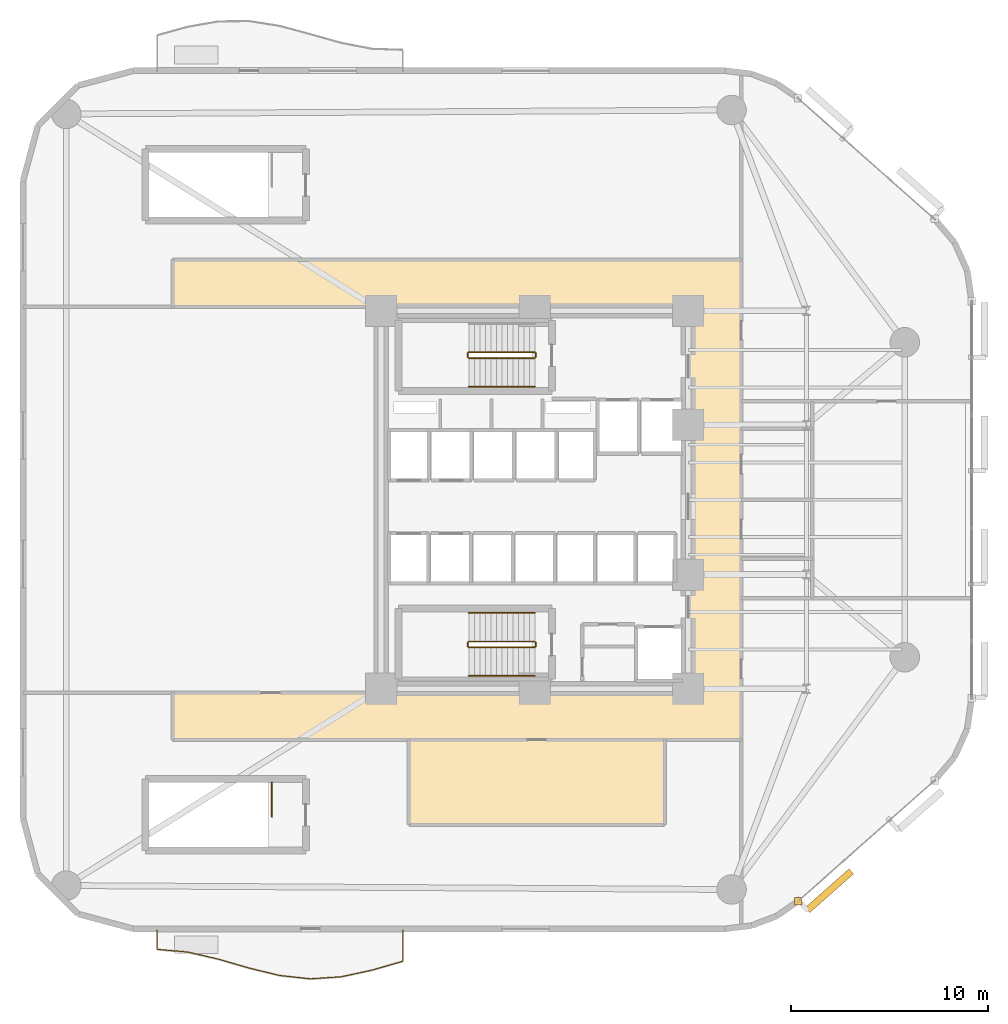
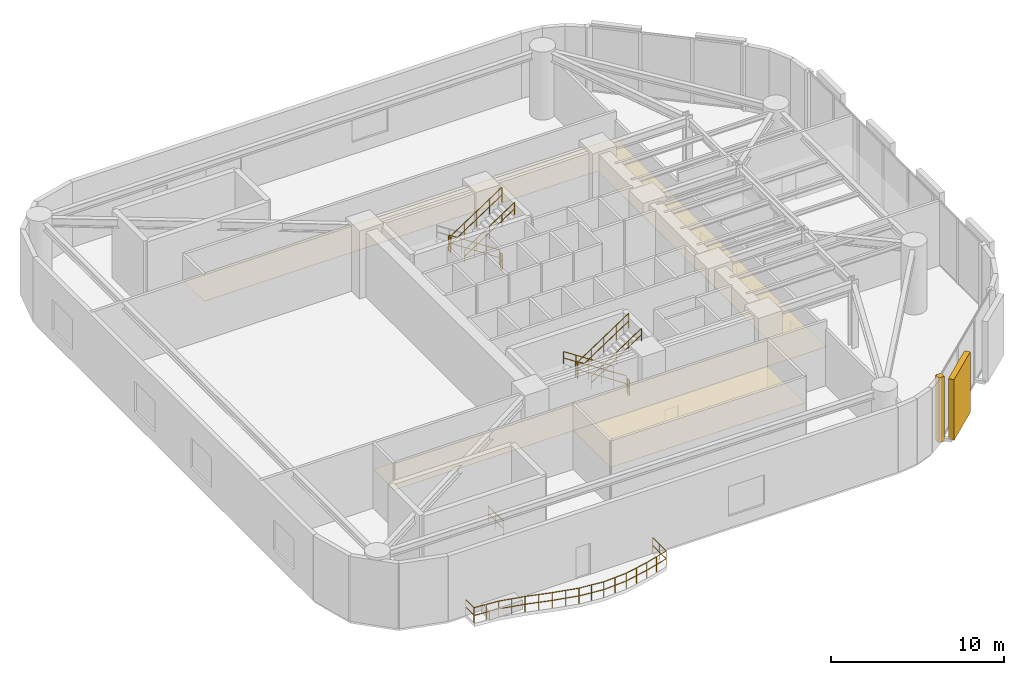
# One storey, part 12 of 13: 13 railings, 3 coverings, 1 shading device.
"""IFC4 building model written with IfcOpenShell, lengths in metres."""

import ifcopenshell
import ifcopenshell.guid

model = None  # the IFC model being written
_history = None  # IfcOwnerHistory: only IFC2X3 demands one
_inside = {}  # id of a spatial element -> (the spatial element, [elements in it])
_under = {}  # id of a project, library or spatial element -> (it, [spatial elements below it])
_declared = {}  # id of a project -> (the project, [libraries it declares])
_typed = {}  # id of a type object -> (the type object, [elements of that type])
_made_of = {}  # id of a material, layer set ... -> (it, [elements and type objects made of it])


def new_model(schema):
    """Start an empty IFC model of exactly this schema.

    Asked for "IFC4X3", IfcOpenShell would pick the latest addendum, in which some entities
    have other attributes; the version numbers below select the first issue.
    IFC2X3 requires an IfcOwnerHistory on every rooted entity: one is made here for all.
    """
    global model, _history
    if schema == "IFC4X3":
        model = ifcopenshell.file(schema_version=(4, 3, 0, 0))
    else:
        model = ifcopenshell.file(schema=schema)
    _inside.clear()
    _under.clear()
    _declared.clear()
    _typed.clear()
    _made_of.clear()
    _history = None
    if model.schema == "IFC2X3":
        org = make("IfcOrganization", Name="unknown")
        user = make(
            "IfcPersonAndOrganization",
            ThePerson=make("IfcPerson", FamilyName="unknown"),
            TheOrganization=org,
        )
        app = make(
            "IfcApplication",
            ApplicationDeveloper=org,
            Version="unknown",
            ApplicationFullName="unknown",
            ApplicationIdentifier="unknown",
        )
        _history = make(
            "IfcOwnerHistory",
            OwningUser=user,
            OwningApplication=app,
            ChangeAction="ADDED",
            CreationDate=0,
        )
    return model


def make(cls, **values):
    """One entity of the class cls with the attributes given. An attribute that is None is left unset."""
    return model.create_entity(
        cls, **{name: value for name, value in values.items() if value is not None}
    )


def rooted(cls, **values):
    """An entity with a GlobalId (a new one), such as an element, a storey or a relation."""
    return make(cls, GlobalId=ifcopenshell.guid.new(), OwnerHistory=_history, **values)


def si_unit(unit_type, name, prefix=None):
    """IfcSIUnit, for example si_unit("LENGTHUNIT", "METRE", prefix="MILLI")."""
    return make("IfcSIUnit", UnitType=unit_type, Prefix=prefix, Name=name)


def assignment(units):
    """IfcUnitAssignment: the units of a project."""
    return None if units is None else make("IfcUnitAssignment", Units=units)


def point(xyz):
    """IfcCartesianPoint."""
    return None if xyz is None else make("IfcCartesianPoint", Coordinates=xyz)


def direction(xyz):
    """IfcDirection."""
    return None if xyz is None else make("IfcDirection", DirectionRatios=xyz)


def frame(location, z_axis=None, x_axis=None):
    """IfcAxis2Placement3D, a coordinate frame: its origin and axes. An axis left out is left unset."""
    return make(
        "IfcAxis2Placement3D",
        Location=point(location),
        Axis=direction(z_axis),
        RefDirection=direction(x_axis),
    )


def frame_2d(location, x_axis=None):
    """IfcAxis2Placement2D, a coordinate frame in the plane: its origin and x axis."""
    return make(
        "IfcAxis2Placement2D", Location=point(location), RefDirection=direction(x_axis)
    )


def origin():
    """The frame at (0, 0, 0) with its axes left unset."""
    return frame((0.0, 0.0, 0.0))


def origin_2d():
    """The frame at (0, 0) in the plane with its x axis left unset."""
    return frame_2d((0.0, 0.0))


def place(relative_to, where):
    """IfcLocalPlacement: puts the frame where relative to a parent placement (None: the world)."""
    return make(
        "IfcLocalPlacement", PlacementRelTo=relative_to, RelativePlacement=where
    )


def context(
    kind, dimensions, precision=None, world=None, true_north=None, identifier=None
):
    """IfcGeometricRepresentationContext, for example the 3D "Model" context."""
    return make(
        "IfcGeometricRepresentationContext",
        ContextIdentifier=identifier,
        ContextType=kind,
        CoordinateSpaceDimension=dimensions,
        Precision=precision,
        WorldCoordinateSystem=world,
        TrueNorth=true_north,
    )


def subcontext(parent, identifier, kind, view, scale=None):
    """IfcGeometricRepresentationSubContext, for example "Body" below "Model"."""
    return make(
        "IfcGeometricRepresentationSubContext",
        ContextIdentifier=identifier,
        ContextType=kind,
        ParentContext=parent,
        TargetScale=scale,
        TargetView=view,
    )


def project(units=None, contexts=None):
    """IfcProject with its units and contexts."""
    return rooted(
        "IfcProject",
        Name="project",
        RepresentationContexts=contexts,
        UnitsInContext=assignment(units),
    )


def spatial(cls, under=None, at=None, **own):
    """A site, building, storey or space (cls), placed at a placement, below another one or the project."""
    s = rooted(cls, ObjectPlacement=at, **own)
    if under is not None:
        _under.setdefault(under.id(), (under, []))[1].append(s)
    return s


def polyline(points):
    """IfcPolyline through the points."""
    return make("IfcPolyline", Points=[point(p) for p in points])


def profile(cls, at=None, kind="AREA", **sizes):
    """A parametric profile (cls). Its sizes go by their IFC names, for example OverallWidth=200.0."""
    return make(cls, ProfileType=kind, Position=at, **sizes)


def rectangle(**sizes):
    """IfcRectangleProfileDef."""
    return profile("IfcRectangleProfileDef", **sizes)


def circle(**sizes):
    """IfcCircleProfileDef."""
    return profile("IfcCircleProfileDef", **sizes)


def outline(outer, holes=None, kind="AREA"):
    """IfcArbitraryClosedProfileDef: a profile drawn as a closed curve; with holes, ...WithVoids."""
    if holes is None:
        return make("IfcArbitraryClosedProfileDef", ProfileType=kind, OuterCurve=outer)
    return make(
        "IfcArbitraryProfileDefWithVoids",
        ProfileType=kind,
        OuterCurve=outer,
        InnerCurves=holes,
    )


def extrude(swept, where, along, depth):
    """IfcExtrudedAreaSolid: the profile swept, set in the frame where, extruded along a direction by depth."""
    return make(
        "IfcExtrudedAreaSolid",
        SweptArea=swept,
        Position=where,
        ExtrudedDirection=direction(along),
        Depth=depth,
    )


def shape(context_of_items, identifier, shape_type, items):
    """IfcShapeRepresentation: the items that make up one representation, for example the "Body"."""
    return make(
        "IfcShapeRepresentation",
        ContextOfItems=context_of_items,
        RepresentationIdentifier=identifier,
        RepresentationType=shape_type,
        Items=items,
    )


def material(Name=None, Category=None):
    """IfcMaterial."""
    return make("IfcMaterial", Name=Name, Category=Category)


def layer(
    of_material, thickness, ventilated=None, Name=None, Category=None, Priority=None
):
    """IfcMaterialLayer: one layer of a wall or slab, of a material (None: an air gap)."""
    return make(
        "IfcMaterialLayer",
        Material=of_material,
        LayerThickness=thickness,
        IsVentilated=ventilated,
        Name=Name,
        Category=Category,
        Priority=Priority,
    )


def layer_set(layers, Name=None):
    """IfcMaterialLayerSet."""
    return make("IfcMaterialLayerSet", MaterialLayers=layers, LayerSetName=Name)


def made_of(thing, what):
    """Note that an element or type object is made of a material, layer set ...; save() writes the relation."""
    if what is not None:
        _made_of.setdefault(what.id(), (what, []))[1].append(thing)
    return thing


def type_object(cls, material=None, **own):
    """A type object (cls), such as IfcWallType, which elements share."""
    return made_of(rooted(cls, **own), material)


def element(
    cls,
    number,
    at=None,
    inside=None,
    cuts=None,
    type_object=None,
    material=None,
    context=None,
    identifier="Body",
    shape_type=None,
    held_by="IfcProductDefinitionShape",
    body=None,
    shapes=None,
    **own,
):
    """One element of the class cls, such as IfcWall. Its Tag is "e" and its number.

    at: its placement. inside: the storey or other place that contains it. cuts: it is an
    opening in that element (IfcRelVoidsElement). A single representation is given by context,
    identifier, shape_type and body (its items); several are given by shapes. held_by: the class
    of the entity that holds the representations. save() writes the other relations.
    """
    e = rooted(cls, Tag="e%d" % number, ObjectPlacement=at, **own)
    if body is not None:
        shapes = [shape(context, identifier, shape_type, body)]
    if shapes is not None:
        e.Representation = make(held_by, Representations=shapes)
    if inside is not None:
        _inside.setdefault(inside.id(), (inside, []))[1].append(e)
    if cuts is not None:
        rooted(
            "IfcRelVoidsElement", RelatingBuildingElement=cuts, RelatedOpeningElement=e
        )
    if type_object is not None:
        _typed.setdefault(type_object.id(), (type_object, []))[1].append(e)
    return made_of(e, material)


def aggregate(whole, parts):
    """IfcRelAggregates: a whole, such as a stair, and the parts it consists of."""
    return rooted("IfcRelAggregates", RelatingObject=whole, RelatedObjects=parts)


def save(model, path):
    """Write the relations noted so far, then the file.

    IfcRelAggregates (storeys below a building ...), IfcRelContainedInSpatialStructure (elements
    in a storey), IfcRelDefinesByType, IfcRelAssociatesMaterial and IfcRelDeclares: one each for
    every whole, place, type object, material and project.
    """
    for whole, parts in _under.values():
        aggregate(whole, parts)
    for where, things in _inside.values():
        rooted(
            "IfcRelContainedInSpatialStructure",
            RelatedElements=things,
            RelatingStructure=where,
        )
    for kind, things in _typed.values():
        rooted("IfcRelDefinesByType", RelatedObjects=things, RelatingType=kind)
    for what, things in _made_of.values():
        rooted("IfcRelAssociatesMaterial", RelatedObjects=things, RelatingMaterial=what)
    for by, libraries in _declared.values():
        rooted("IfcRelDeclares", RelatingContext=by, RelatedDefinitions=libraries)
    model.write(path)


model = new_model("IFC4")

# Units and contexts
model_context = context("Model", 3, precision=1e-05, world=origin(), true_north=direction((0.0, 1.0)))
body_context = subcontext(model_context, "Body", "Model", "MODEL_VIEW")
ifc_project = project(units=[si_unit("LENGTHUNIT", "METRE"), si_unit("AREAUNIT", "SQUARE_METRE"), si_unit("VOLUMEUNIT", "CUBIC_METRE"), si_unit("PLANEANGLEUNIT", "RADIAN"), si_unit("MASSUNIT", "GRAM", prefix="KILO")], contexts=[model_context])

# Site, building, storey
site_placement = place(None, origin())
site = spatial("IfcSite", under=ifc_project, at=site_placement, CompositionType="ELEMENT")
building_placement = place(site_placement, origin())
building = spatial("IfcBuilding", under=site, at=building_placement, Name="An Khanh Terracotta Commons", CompositionType="ELEMENT")
storey_placement = place(building_placement, frame((0.0, 0.0, 24.0)))
storey = spatial("IfcBuildingStorey", under=building, at=storey_placement, Name="L06", CompositionType="ELEMENT", Elevation=24.0)

# Coverings
ifc_material_1 = material(Name="Perforated Mineral-Fibre Acoustic Tile")
ifc_layer_1 = layer(ifc_material_1, 0.02001953125, Name="Perforated Mineral-Fibre Acoustic Tile")
ifc_layer_set_1 = layer_set([ifc_layer_1], Name="Perforated Mineral-Fibre Acoustic Tile")
covering_type_1 = type_object("IfcCoveringType", Name="CEIL-ACOUSTIC-18", PredefinedType="CEILING", material=ifc_layer_set_1)
covering_1_placement = place(storey_placement, frame((0.0, 0.0, 2.64990234375)))
element("IfcCovering", 1, at=covering_1_placement, inside=storey, type_object=covering_type_1, Name="L06 Sky Lobby Ceiling", PredefinedType="CEILING", context=body_context, shape_type="SweptSolid", body=[
    extrude(outline(polyline([(11.0, 11.800048828125), (11.0, 14.199951171875), (37.300048828125, 14.199951171875), (37.300048828125, 14.280029296875), (37.320068359375, 14.280029296875), (37.320068359375, 33.719970703125), (37.300048828125, 33.719970703125), (37.300048828125, 33.800048828125), (11.0, 33.800048828125), (11.0, 36.199951171875), (39.89990234375, 36.199951171875), (39.89990234375, 35.800048828125), (39.89990234375, 33.800048828125), (39.89990234375, 14.199951171875), (39.89990234375, 12.199951171875), (39.89990234375, 11.800048828125), (11.0, 11.800048828125)])), origin(), (0.0, 0.0, 1.0), 0.02001953125),
])
covering_2_placement = place(storey_placement, frame((0.0, 0.0, 2.64990234375)))
element("IfcCovering", 2, at=covering_2_placement, inside=storey, type_object=covering_type_1, Name="L06 Sky Lobby Pantry Store Ceiling", PredefinedType="CEILING", context=body_context, shape_type="SweptSolid", body=[
    extrude(outline(polyline([(36.0, 11.800048828125), (36.0, 7.5), (23.0, 7.5), (23.0, 11.800048828125), (36.0, 11.800048828125)])), origin(), (0.0, 0.0, 1.0), 0.02001953125),
])
ifc_material_2 = material(Name="Fired Terracotta Rainscreen Cladding", Category="masonry")
ifc_layer_2 = layer(ifc_material_2, 0.080078125, Name="Fired Terracotta Rainscreen Cladding")
ifc_layer_set_2 = layer_set([ifc_layer_2], Name="Fired Terracotta Rainscreen Cladding")
covering_type_2 = type_object("IfcCoveringType", Name="COV-JAMB-TERRA", PredefinedType="CLADDING", material=ifc_layer_set_2)
covering_3_placement = place(storey_placement, frame((42.7890625, 3.60595703125, 0.0), z_axis=(0.0, 0.0, 1.0), x_axis=(1.0, 0.0, 0.0)))
element("IfcCovering", 3, at=covering_3_placement, inside=storey, type_object=covering_type_2, Name="L06 CW-04 Curtain-Wall Jamb Closure JA", PredefinedType="CLADDING", context=body_context, shape_type="SweptSolid", body=[
    extrude(rectangle(XDim=0.3798828125, YDim=0.3798828125, at=origin_2d()), origin(), (0.0, 0.0, 1.0), 4.60009765625),
])

# Railings
ifc_material_3 = material(Name="Brushed Stainless Steel 316", Category="steel")
railing_type_1 = type_object("IfcRailingType", Name="RAIL-BALUSTRADE-1100", PredefinedType="BALUSTRADE", material=ifc_material_3)
railing_1_placement = place(storey_placement, frame((10.199951171875, 2.139892578125, 0.0)))
element("IfcRailing", 4, at=railing_1_placement, inside=storey, type_object=railing_type_1, Name="L06 S Wave Balcony Guard Balustrade", PredefinedType="BALUSTRADE", context=body_context, shape_type="SweptSolid", body=[
    extrude(circle(Radius=0.02392578125, at=origin_2d()), frame((0.0, 0.0, 1.076171875), z_axis=(0.0, -1.0, 0.0), x_axis=(1.0, 0.0, 0.0)), (0.0, 0.0, 1.0), 0.97998046875),
    extrude(circle(Radius=0.02392578125, at=origin_2d()), frame((0.0, 0.0, 0.52587890625), z_axis=(0.0, -1.0, 0.0), x_axis=(1.0, 0.0, 0.0)), (0.0, 0.0, 1.0), 0.97998046875),
    extrude(circle(Radius=0.02392578125, at=origin_2d()), frame((0.0, -0.97998046875, 1.076171875), z_axis=(0.996177814527, -0.087348507963, 0.0), x_axis=(0.087348507963, 0.996177814527, 0.0)), (0.0, 0.0, 1.0), 1.568115234375),
    extrude(circle(Radius=0.02392578125, at=origin_2d()), frame((0.0, -0.97998046875, 0.52587890625), z_axis=(0.996177814527, -0.087348507963, 0.0), x_axis=(0.087348507963, 0.996177814527, 0.0)), (0.0, 0.0, 1.0), 1.568115234375),
    extrude(circle(Radius=0.02392578125, at=origin_2d()), frame((1.56201171875, -1.116943359375, 1.076171875), z_axis=(0.97450395418, -0.22437032622, 0.0), x_axis=(0.22437032622, 0.97450395418, 0.0)), (0.0, 0.0, 1.0), 1.603759765625),
    extrude(circle(Radius=0.02392578125, at=origin_2d()), frame((1.56201171875, -1.116943359375, 0.52587890625), z_axis=(0.97450395418, -0.22437032622, 0.0), x_axis=(0.22437032622, 0.97450395418, 0.0)), (0.0, 0.0, 1.0), 1.603759765625),
    extrude(circle(Radius=0.02392578125, at=origin_2d()), frame((3.125, -1.476806640625, 1.076171875), z_axis=(0.960405845543, -0.278604759195, 0.0), x_axis=(0.278604759195, 0.960405845543, 0.0)), (0.0, 0.0, 1.0), 1.62646484375),
    extrude(circle(Radius=0.02392578125, at=origin_2d()), frame((3.125, -1.476806640625, 0.52587890625), z_axis=(0.960405845543, -0.278604759195, 0.0), x_axis=(0.278604759195, 0.960405845543, 0.0)), (0.0, 0.0, 1.0), 1.62646484375),
    extrude(circle(Radius=0.02392578125, at=origin_2d()), frame((4.68701171875, -1.929931640625, 1.076171875), z_axis=(0.971710923321, -0.23617341404, 0.0), x_axis=(0.23617341404, 0.971710923321, 0.0)), (0.0, 0.0, 1.0), 1.6083984375),
    extrude(circle(Radius=0.02392578125, at=origin_2d()), frame((4.68701171875, -1.929931640625, 0.52587890625), z_axis=(0.971710923321, -0.23617341404, 0.0), x_axis=(0.23617341404, 0.971710923321, 0.0)), (0.0, 0.0, 1.0), 1.6083984375),
    extrude(circle(Radius=0.02392578125, at=origin_2d()), frame((6.25, -2.309814453125, 1.076171875), z_axis=(0.994267926372, -0.106917213714, 0.0), x_axis=(0.106917213714, 0.994267926372, 0.0)), (0.0, 0.0, 1.0), 1.571044921875),
    extrude(circle(Radius=0.02392578125, at=origin_2d()), frame((6.25, -2.309814453125, 0.52587890625), z_axis=(0.994267926372, -0.106917213714, 0.0), x_axis=(0.106917213714, 0.994267926372, 0.0)), (0.0, 0.0, 1.0), 1.571044921875),
    extrude(circle(Radius=0.02392578125, at=origin_2d()), frame((7.81201171875, -2.477783203125, 1.076171875), z_axis=(0.997751933428, 0.067015515679, 0.0), x_axis=(-0.067015515679, 0.997751933428, 0.0)), (0.0, 0.0, 1.0), 1.56640625),
    extrude(circle(Radius=0.02392578125, at=origin_2d()), frame((7.81201171875, -2.477783203125, 0.52587890625), z_axis=(0.997751933428, 0.067015515679, 0.0), x_axis=(-0.067015515679, 0.997751933428, 0.0)), (0.0, 0.0, 1.0), 1.56640625),
    extrude(circle(Radius=0.02392578125, at=origin_2d()), frame((9.375, -2.372802734375, 1.076171875), z_axis=(0.977267260023, 0.212011090483, 0.0), x_axis=(-0.212011090483, 0.977267260023, 0.0)), (0.0, 0.0, 1.0), 1.598388671875),
    extrude(circle(Radius=0.02392578125, at=origin_2d()), frame((9.375, -2.372802734375, 0.52587890625), z_axis=(0.977267260023, 0.212011090483, 0.0), x_axis=(-0.212011090483, 0.977267260023, 0.0)), (0.0, 0.0, 1.0), 1.598388671875),
    extrude(circle(Radius=0.02392578125, at=origin_2d()), frame((10.93701171875, -2.033935546875, 1.076171875), z_axis=(0.960972583442, 0.276643622506, 0.0), x_axis=(-0.276643622506, 0.960972583442, 0.0)), (0.0, 0.0, 1.0), 1.62646484375),
    extrude(circle(Radius=0.02392578125, at=origin_2d()), frame((10.93701171875, -2.033935546875, 0.52587890625), z_axis=(0.960972583442, 0.276643622506, 0.0), x_axis=(-0.276643622506, 0.960972583442, 0.0)), (0.0, 0.0, 1.0), 1.62646484375),
    extrude(circle(Radius=0.02392578125, at=origin_2d()), frame((12.5, -1.583984375, 1.076171875), z_axis=(0.0, 1.0, 0.0), x_axis=(-1.0, 0.0, 0.0)), (0.0, 0.0, 1.0), 1.583984375),
    extrude(circle(Radius=0.02392578125, at=origin_2d()), frame((12.5, -1.583984375, 0.52587890625), z_axis=(0.0, 1.0, 0.0), x_axis=(-1.0, 0.0, 0.0)), (0.0, 0.0, 1.0), 1.583984375),
    extrude(circle(Radius=0.02099609375, at=origin_2d()), origin(), (0.0, 0.0, 1.0), 1.052001953125),
    extrude(circle(Radius=0.02099609375, at=origin_2d()), frame((0.0, -0.97998046875, 0.0)), (0.0, 0.0, 1.0), 1.052001953125),
    extrude(circle(Radius=0.02099609375, at=origin_2d()), frame((0.781005859375, -1.04833984375, 0.0)), (0.0, 0.0, 1.0), 1.052001953125),
    extrude(circle(Radius=0.02099609375, at=origin_2d()), frame((1.56201171875, -1.116943359375, 0.0)), (0.0, 0.0, 1.0), 1.052001953125),
    extrude(circle(Radius=0.02099609375, at=origin_2d()), frame((2.343505859375, -1.296875, 0.0)), (0.0, 0.0, 1.0), 1.052001953125),
    extrude(circle(Radius=0.02099609375, at=origin_2d()), frame((3.125, -1.476806640625, 0.0)), (0.0, 0.0, 1.0), 1.052001953125),
    extrude(circle(Radius=0.02099609375, at=origin_2d()), frame((3.906005859375, -1.703369140625, 0.0)), (0.0, 0.0, 1.0), 1.052001953125),
    extrude(circle(Radius=0.02099609375, at=origin_2d()), frame((4.68701171875, -1.929931640625, 0.0)), (0.0, 0.0, 1.0), 1.052001953125),
    extrude(circle(Radius=0.02099609375, at=origin_2d()), frame((5.468505859375, -2.119873046875, 0.0)), (0.0, 0.0, 1.0), 1.052001953125),
    extrude(circle(Radius=0.02099609375, at=origin_2d()), frame((6.25, -2.309814453125, 0.0)), (0.0, 0.0, 1.0), 1.052001953125),
    extrude(circle(Radius=0.02099609375, at=origin_2d()), frame((7.031005859375, -2.393798828125, 0.0)), (0.0, 0.0, 1.0), 1.052001953125),
    extrude(circle(Radius=0.02099609375, at=origin_2d()), frame((7.81201171875, -2.477783203125, 0.0)), (0.0, 0.0, 1.0), 1.052001953125),
    extrude(circle(Radius=0.02099609375, at=origin_2d()), frame((8.593505859375, -2.42529296875, 0.0)), (0.0, 0.0, 1.0), 1.052001953125),
    extrude(circle(Radius=0.02099609375, at=origin_2d()), frame((9.375, -2.372802734375, 0.0)), (0.0, 0.0, 1.0), 1.052001953125),
    extrude(circle(Radius=0.02099609375, at=origin_2d()), frame((10.156005859375, -2.203369140625, 0.0)), (0.0, 0.0, 1.0), 1.052001953125),
    extrude(circle(Radius=0.02099609375, at=origin_2d()), frame((10.93701171875, -2.033935546875, 0.0)), (0.0, 0.0, 1.0), 1.052001953125),
    extrude(circle(Radius=0.02099609375, at=origin_2d()), frame((11.718505859375, -1.80908203125, 0.0)), (0.0, 0.0, 1.0), 1.052001953125),
    extrude(circle(Radius=0.02099609375, at=origin_2d()), frame((12.5, -1.583984375, 0.0)), (0.0, 0.0, 1.0), 1.052001953125),
    extrude(circle(Radius=0.02099609375, at=origin_2d()), frame((12.5, -0.7919921875, 0.0)), (0.0, 0.0, 1.0), 1.052001953125),
    extrude(circle(Radius=0.02099609375, at=origin_2d()), frame((12.5, 0.0, 0.0)), (0.0, 0.0, 1.0), 1.052001953125),
])
railing_type_2 = type_object("IfcRailingType", Name="RAIL-HANDRAIL-900", PredefinedType="HANDRAIL", material=ifc_material_3)
railing_2_placement = place(storey_placement, frame((26.050048828125, 29.75, 2.584716796875)))
element("IfcRailing", 5, at=railing_2_placement, inside=storey, type_object=railing_type_2, Name="L06 ST-01 stair handrail 2", PredefinedType="HANDRAIL", context=body_context, shape_type="SweptSolid", body=[
    extrude(circle(Radius=0.02392578125, at=origin_2d()), frame((0.0, 0.0, 0.8759765625), z_axis=(0.834858096282, 0.0, 0.550465220583), x_axis=(0.0, 1.0, 0.0)), (0.0, 0.0, 1.0), 4.0244140625),
    extrude(circle(Radius=0.02392578125, at=origin_2d()), frame((0.0, 0.0, 0.42578125), z_axis=(0.834858096282, 0.0, 0.550465220583), x_axis=(0.0, 1.0, 0.0)), (0.0, 0.0, 1.0), 4.0244140625),
    extrude(circle(Radius=0.02099609375, at=origin_2d()), origin(), (0.0, 0.0, 1.0), 0.851806640625),
    extrude(circle(Radius=0.02099609375, at=origin_2d()), frame((0.83984375, 0.0, 0.5537109375)), (0.0, 0.0, 1.0), 0.851806640625),
    extrude(circle(Radius=0.02099609375, at=origin_2d()), frame((1.679931640625, 0.0, 1.107666015625)), (0.0, 0.0, 1.0), 0.851806640625),
    extrude(circle(Radius=0.02099609375, at=origin_2d()), frame((2.52001953125, 0.0, 1.66162109375)), (0.0, 0.0, 1.0), 0.851806640625),
    extrude(circle(Radius=0.02099609375, at=origin_2d()), frame((3.35986328125, 0.0, 2.21533203125)), (0.0, 0.0, 1.0), 0.851806640625),
])
railing_3_placement = place(storey_placement, frame((29.409912109375, 18.25, 0.1845703125)))
element("IfcRailing", 6, at=railing_3_placement, inside=storey, type_object=railing_type_2, Name="L06 ST-02 stair handrail 1", PredefinedType="HANDRAIL", context=body_context, shape_type="SweptSolid", body=[
    extrude(circle(Radius=0.02392578125, at=origin_2d()), frame((0.0, 0.0, 0.8759765625), z_axis=(-0.834858096282, 0.0, 0.550465220583), x_axis=(0.0, -1.0, 0.0)), (0.0, 0.0, 1.0), 4.0244140625),
    extrude(circle(Radius=0.02392578125, at=origin_2d()), frame((0.0, 0.0, 0.42578125), z_axis=(-0.834858096282, 0.0, 0.550465220583), x_axis=(0.0, -1.0, 0.0)), (0.0, 0.0, 1.0), 4.0244140625),
    extrude(circle(Radius=0.02099609375, at=origin_2d()), origin(), (0.0, 0.0, 1.0), 0.851806640625),
    extrude(circle(Radius=0.02099609375, at=origin_2d()), frame((-0.83984375, 0.0, 0.5537109375)), (0.0, 0.0, 1.0), 0.851806640625),
    extrude(circle(Radius=0.02099609375, at=origin_2d()), frame((-1.679931640625, 0.0, 1.107666015625)), (0.0, 0.0, 1.0), 0.851806640625),
    extrude(circle(Radius=0.02099609375, at=origin_2d()), frame((-2.52001953125, 0.0, 1.66162109375)), (0.0, 0.0, 1.0), 0.851806640625),
    extrude(circle(Radius=0.02099609375, at=origin_2d()), frame((-3.35986328125, 0.0, 2.21533203125)), (0.0, 0.0, 1.0), 0.851806640625),
])
railing_4_placement = place(storey_placement, frame((26.050048828125, 15.050048828125, 2.584716796875)))
element("IfcRailing", 7, at=railing_4_placement, inside=storey, type_object=railing_type_2, Name="L06 ST-02 stair handrail 2", PredefinedType="HANDRAIL", context=body_context, shape_type="SweptSolid", body=[
    extrude(circle(Radius=0.02392578125, at=origin_2d()), frame((0.0, 0.0, 0.8759765625), z_axis=(0.834858096282, 0.0, 0.550465220583), x_axis=(0.0, 1.0, 0.0)), (0.0, 0.0, 1.0), 4.0244140625),
    extrude(circle(Radius=0.02392578125, at=origin_2d()), frame((0.0, 0.0, 0.42578125), z_axis=(0.834858096282, 0.0, 0.550465220583), x_axis=(0.0, 1.0, 0.0)), (0.0, 0.0, 1.0), 4.0244140625),
    extrude(circle(Radius=0.02099609375, at=origin_2d()), origin(), (0.0, 0.0, 1.0), 0.851806640625),
    extrude(circle(Radius=0.02099609375, at=origin_2d()), frame((0.83984375, 0.0, 0.5537109375)), (0.0, 0.0, 1.0), 0.851806640625),
    extrude(circle(Radius=0.02099609375, at=origin_2d()), frame((1.679931640625, 0.0, 1.107666015625)), (0.0, 0.0, 1.0), 0.851806640625),
    extrude(circle(Radius=0.02099609375, at=origin_2d()), frame((2.52001953125, 0.0, 1.66162109375)), (0.0, 0.0, 1.0), 0.851806640625),
    extrude(circle(Radius=0.02099609375, at=origin_2d()), frame((3.35986328125, 0.0, 2.21533203125)), (0.0, 0.0, 1.0), 0.851806640625),
])
ifc_material_4 = material(Name="Powder-Coated Steel S355J2", Category="steel")
railing_type_3 = type_object("IfcRailingType", Name="RAIL-STAIR-GUARD-1100", PredefinedType="BALUSTRADE", material=ifc_material_4)
railing_5_placement = place(storey_placement, frame((29.409912109375, 31.5, 0.1845703125)))
element("IfcRailing", 8, at=railing_5_placement, inside=storey, type_object=railing_type_3, Name="L06 ST-01 stair guard 1", PredefinedType="BALUSTRADE", context=body_context, shape_type="SweptSolid", body=[
    extrude(circle(Radius=0.02392578125, at=origin_2d()), frame((0.0, 0.0, 1.076171875), z_axis=(-0.834858096282, 0.0, 0.550465220583), x_axis=(0.0, -1.0, 0.0)), (0.0, 0.0, 1.0), 4.0244140625),
    extrude(circle(Radius=0.02392578125, at=origin_2d()), frame((0.0, 0.0, 0.52587890625), z_axis=(-0.834858096282, 0.0, 0.550465220583), x_axis=(0.0, -1.0, 0.0)), (0.0, 0.0, 1.0), 4.0244140625),
    extrude(circle(Radius=0.02099609375, at=origin_2d()), origin(), (0.0, 0.0, 1.0), 1.052001953125),
    extrude(circle(Radius=0.02099609375, at=origin_2d()), frame((-0.83984375, 0.0, 0.5537109375)), (0.0, 0.0, 1.0), 1.052001953125),
    extrude(circle(Radius=0.02099609375, at=origin_2d()), frame((-1.679931640625, 0.0, 1.107666015625)), (0.0, 0.0, 1.0), 1.052001953125),
    extrude(circle(Radius=0.02099609375, at=origin_2d()), frame((-2.52001953125, 0.0, 1.66162109375)), (0.0, 0.0, 1.0), 1.052001953125),
    extrude(circle(Radius=0.02099609375, at=origin_2d()), frame((-3.35986328125, 0.0, 2.21533203125)), (0.0, 0.0, 1.0), 1.052001953125),
])
railing_6_placement = place(storey_placement, frame((26.0, 31.449951171875, 2.39990234375)))
element("IfcRailing", 9, at=railing_6_placement, inside=storey, type_object=railing_type_3, Name="L06 ST-01 stair guard 2", PredefinedType="BALUSTRADE", context=body_context, shape_type="SweptSolid", body=[
    extrude(circle(Radius=0.02392578125, at=origin_2d()), frame((0.0, 0.0, 1.076171875), z_axis=(0.0, -1.0, 0.0), x_axis=(1.0, 0.0, 0.0)), (0.0, 0.0, 1.0), 0.199951171875),
    extrude(circle(Radius=0.02392578125, at=origin_2d()), frame((0.0, 0.0, 0.52587890625), z_axis=(0.0, -1.0, 0.0), x_axis=(1.0, 0.0, 0.0)), (0.0, 0.0, 1.0), 0.199951171875),
    extrude(circle(Radius=0.02099609375, at=origin_2d()), origin(), (0.0, 0.0, 1.0), 1.052001953125),
    extrude(circle(Radius=0.02099609375, at=origin_2d()), frame((0.0, -0.199951171875, 0.0)), (0.0, 0.0, 1.0), 1.052001953125),
])
railing_7_placement = place(storey_placement, frame((26.050048828125, 31.199951171875, 2.584716796875)))
element("IfcRailing", 10, at=railing_7_placement, inside=storey, type_object=railing_type_3, Name="L06 ST-01 stair guard 3", PredefinedType="BALUSTRADE", context=body_context, shape_type="SweptSolid", body=[
    extrude(circle(Radius=0.02392578125, at=origin_2d()), frame((0.0, 0.0, 1.076171875), z_axis=(0.834858096282, 0.0, 0.550465220583), x_axis=(0.0, 1.0, 0.0)), (0.0, 0.0, 1.0), 4.0244140625),
    extrude(circle(Radius=0.02392578125, at=origin_2d()), frame((0.0, 0.0, 0.52587890625), z_axis=(0.834858096282, 0.0, 0.550465220583), x_axis=(0.0, 1.0, 0.0)), (0.0, 0.0, 1.0), 4.0244140625),
    extrude(circle(Radius=0.02099609375, at=origin_2d()), origin(), (0.0, 0.0, 1.0), 1.052001953125),
    extrude(circle(Radius=0.02099609375, at=origin_2d()), frame((0.83984375, 0.0, 0.5537109375)), (0.0, 0.0, 1.0), 1.052001953125),
    extrude(circle(Radius=0.02099609375, at=origin_2d()), frame((1.679931640625, 0.0, 1.107666015625)), (0.0, 0.0, 1.0), 1.052001953125),
    extrude(circle(Radius=0.02099609375, at=origin_2d()), frame((2.52001953125, 0.0, 1.66162109375)), (0.0, 0.0, 1.0), 1.052001953125),
    extrude(circle(Radius=0.02099609375, at=origin_2d()), frame((3.35986328125, 0.0, 2.21533203125)), (0.0, 0.0, 1.0), 1.052001953125),
])
railing_8_placement = place(storey_placement, frame((29.4599609375, 31.449951171875, 0.0)))
element("IfcRailing", 11, at=railing_8_placement, inside=storey, type_object=railing_type_3, Name="L06 ST-01 stair guard 4", PredefinedType="BALUSTRADE", context=body_context, shape_type="SweptSolid", body=[
    extrude(circle(Radius=0.02392578125, at=origin_2d()), frame((0.0, 0.0, 1.076171875), z_axis=(0.0, -1.0, 0.0), x_axis=(1.0, 0.0, 0.0)), (0.0, 0.0, 1.0), 0.199951171875),
    extrude(circle(Radius=0.02392578125, at=origin_2d()), frame((0.0, 0.0, 0.52587890625), z_axis=(0.0, -1.0, 0.0), x_axis=(1.0, 0.0, 0.0)), (0.0, 0.0, 1.0), 0.199951171875),
    extrude(circle(Radius=0.02099609375, at=origin_2d()), origin(), (0.0, 0.0, 1.0), 1.052001953125),
    extrude(circle(Radius=0.02099609375, at=origin_2d()), frame((0.0, -0.199951171875, 0.0)), (0.0, 0.0, 1.0), 1.052001953125),
])
railing_9_placement = place(storey_placement, frame((29.409912109375, 16.800048828125, 0.1845703125)))
element("IfcRailing", 12, at=railing_9_placement, inside=storey, type_object=railing_type_3, Name="L06 ST-02 stair guard 1", PredefinedType="BALUSTRADE", context=body_context, shape_type="SweptSolid", body=[
    extrude(circle(Radius=0.02392578125, at=origin_2d()), frame((0.0, 0.0, 1.076171875), z_axis=(-0.834858096282, 0.0, 0.550465220583), x_axis=(0.0, -1.0, 0.0)), (0.0, 0.0, 1.0), 4.0244140625),
    extrude(circle(Radius=0.02392578125, at=origin_2d()), frame((0.0, 0.0, 0.52587890625), z_axis=(-0.834858096282, 0.0, 0.550465220583), x_axis=(0.0, -1.0, 0.0)), (0.0, 0.0, 1.0), 4.0244140625),
    extrude(circle(Radius=0.02099609375, at=origin_2d()), origin(), (0.0, 0.0, 1.0), 1.052001953125),
    extrude(circle(Radius=0.02099609375, at=origin_2d()), frame((-0.83984375, 0.0, 0.5537109375)), (0.0, 0.0, 1.0), 1.052001953125),
    extrude(circle(Radius=0.02099609375, at=origin_2d()), frame((-1.679931640625, 0.0, 1.107666015625)), (0.0, 0.0, 1.0), 1.052001953125),
    extrude(circle(Radius=0.02099609375, at=origin_2d()), frame((-2.52001953125, 0.0, 1.66162109375)), (0.0, 0.0, 1.0), 1.052001953125),
    extrude(circle(Radius=0.02099609375, at=origin_2d()), frame((-3.35986328125, 0.0, 2.21533203125)), (0.0, 0.0, 1.0), 1.052001953125),
])
railing_10_placement = place(storey_placement, frame((26.0, 16.75, 2.39990234375)))
element("IfcRailing", 13, at=railing_10_placement, inside=storey, type_object=railing_type_3, Name="L06 ST-02 stair guard 2", PredefinedType="BALUSTRADE", context=body_context, shape_type="SweptSolid", body=[
    extrude(circle(Radius=0.02392578125, at=origin_2d()), frame((0.0, 0.0, 1.076171875), z_axis=(0.0, -1.0, 0.0), x_axis=(1.0, 0.0, 0.0)), (0.0, 0.0, 1.0), 0.199951171875),
    extrude(circle(Radius=0.02392578125, at=origin_2d()), frame((0.0, 0.0, 0.52587890625), z_axis=(0.0, -1.0, 0.0), x_axis=(1.0, 0.0, 0.0)), (0.0, 0.0, 1.0), 0.199951171875),
    extrude(circle(Radius=0.02099609375, at=origin_2d()), origin(), (0.0, 0.0, 1.0), 1.052001953125),
    extrude(circle(Radius=0.02099609375, at=origin_2d()), frame((0.0, -0.199951171875, 0.0)), (0.0, 0.0, 1.0), 1.052001953125),
])
railing_11_placement = place(storey_placement, frame((26.050048828125, 16.5, 2.584716796875)))
element("IfcRailing", 14, at=railing_11_placement, inside=storey, type_object=railing_type_3, Name="L06 ST-02 stair guard 3", PredefinedType="BALUSTRADE", context=body_context, shape_type="SweptSolid", body=[
    extrude(circle(Radius=0.02392578125, at=origin_2d()), frame((0.0, 0.0, 1.076171875), z_axis=(0.834858096282, 0.0, 0.550465220583), x_axis=(0.0, 1.0, 0.0)), (0.0, 0.0, 1.0), 4.0244140625),
    extrude(circle(Radius=0.02392578125, at=origin_2d()), frame((0.0, 0.0, 0.52587890625), z_axis=(0.834858096282, 0.0, 0.550465220583), x_axis=(0.0, 1.0, 0.0)), (0.0, 0.0, 1.0), 4.0244140625),
    extrude(circle(Radius=0.02099609375, at=origin_2d()), origin(), (0.0, 0.0, 1.0), 1.052001953125),
    extrude(circle(Radius=0.02099609375, at=origin_2d()), frame((0.83984375, 0.0, 0.5537109375)), (0.0, 0.0, 1.0), 1.052001953125),
    extrude(circle(Radius=0.02099609375, at=origin_2d()), frame((1.679931640625, 0.0, 1.107666015625)), (0.0, 0.0, 1.0), 1.052001953125),
    extrude(circle(Radius=0.02099609375, at=origin_2d()), frame((2.52001953125, 0.0, 1.66162109375)), (0.0, 0.0, 1.0), 1.052001953125),
    extrude(circle(Radius=0.02099609375, at=origin_2d()), frame((3.35986328125, 0.0, 2.21533203125)), (0.0, 0.0, 1.0), 1.052001953125),
])
railing_12_placement = place(storey_placement, frame((29.4599609375, 16.75, 0.0)))
element("IfcRailing", 15, at=railing_12_placement, inside=storey, type_object=railing_type_3, Name="L06 ST-02 stair guard 4", PredefinedType="BALUSTRADE", context=body_context, shape_type="SweptSolid", body=[
    extrude(circle(Radius=0.02392578125, at=origin_2d()), frame((0.0, 0.0, 1.076171875), z_axis=(0.0, -1.0, 0.0), x_axis=(1.0, 0.0, 0.0)), (0.0, 0.0, 1.0), 0.199951171875),
    extrude(circle(Radius=0.02392578125, at=origin_2d()), frame((0.0, 0.0, 0.52587890625), z_axis=(0.0, -1.0, 0.0), x_axis=(1.0, 0.0, 0.0)), (0.0, 0.0, 1.0), 0.199951171875),
    extrude(circle(Radius=0.02099609375, at=origin_2d()), origin(), (0.0, 0.0, 1.0), 1.052001953125),
    extrude(circle(Radius=0.02099609375, at=origin_2d()), frame((0.0, -0.199951171875, 0.0)), (0.0, 0.0, 1.0), 1.052001953125),
])
railing_13_placement = place(storey_placement, frame((16.050048828125, 9.64990234375, 0.0)))
element("IfcRailing", 16, at=railing_13_placement, inside=storey, type_object=railing_type_3, Name="L06 ST-P1 top well guard 1", PredefinedType="BALUSTRADE", context=body_context, shape_type="SweptSolid", body=[
    extrude(circle(Radius=0.02392578125, at=origin_2d()), frame((0.0, 0.0, 1.076171875), z_axis=(0.0, -1.0, 0.0), x_axis=(1.0, 0.0, 0.0)), (0.0, 0.0, 1.0), 1.75),
    extrude(circle(Radius=0.02392578125, at=origin_2d()), frame((0.0, 0.0, 0.52587890625), z_axis=(0.0, -1.0, 0.0), x_axis=(1.0, 0.0, 0.0)), (0.0, 0.0, 1.0), 1.75),
    extrude(circle(Radius=0.02099609375, at=origin_2d()), origin(), (0.0, 0.0, 1.0), 1.052001953125),
    extrude(circle(Radius=0.02099609375, at=origin_2d()), frame((0.0, -0.875, 0.0)), (0.0, 0.0, 1.0), 1.052001953125),
    extrude(circle(Radius=0.02099609375, at=origin_2d()), frame((0.0, -1.75, 0.0)), (0.0, 0.0, 1.0), 1.052001953125),
])

# Shading device
ifc_material_5 = material(Name="Extruded Fired Terracotta", Category="masonry")
shading_device_type = type_object("IfcShadingDeviceType", Name="Terracotta Baguette Screen Assembly", PredefinedType="USERDEFINED", material=ifc_material_5)
shading_device_placement = place(storey_placement, frame((44.373046875, 4.138916015625, 0.14990234375), z_axis=(0.0, 0.0, 1.0), x_axis=(0.749019284633, 0.662548195415, 0.0)))
element("IfcShadingDevice", 17, at=shading_device_placement, inside=storey, type_object=shading_device_type, Name="L06 Terracotta Baguette Screen 1", ObjectType="BAGUETTE", PredefinedType="USERDEFINED", context=body_context, shape_type="SweptSolid", body=[
    extrude(rectangle(XDim=2.9599609375, YDim=0.35009765625, at=origin_2d()), origin(), (0.0, 0.0, 1.0), 4.300048828125),
])

save(model, "model.ifc")
